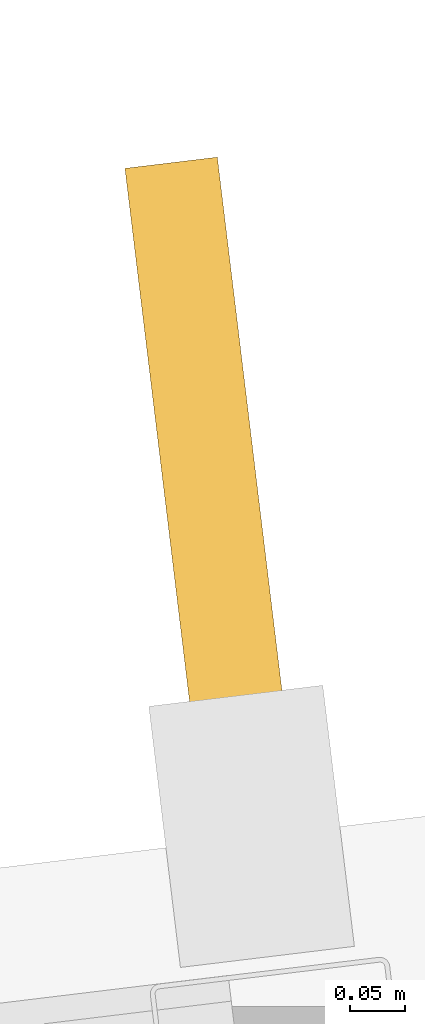
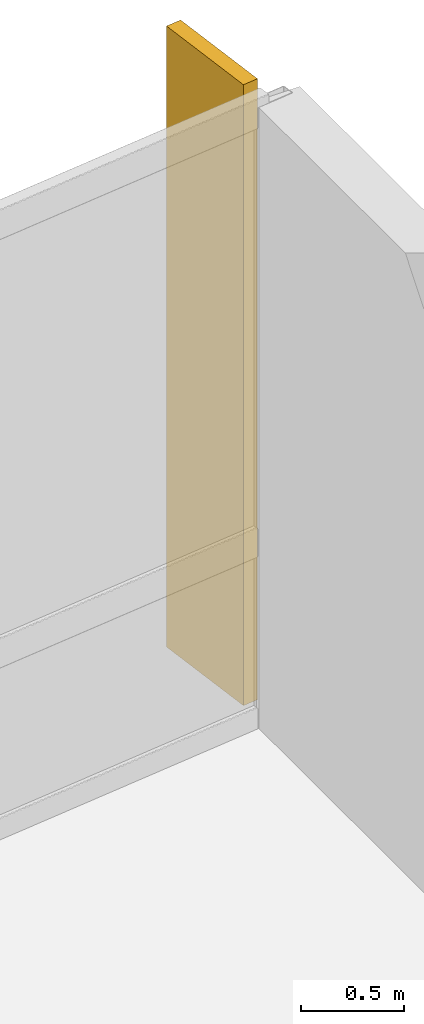
# One storey, part 16 of 16: 1 shading device.
"""IFC4 building model written with IfcOpenShell, lengths in metres."""

from ifc_helpers import new_model, si_unit, direction, frame, origin, origin_2d, place, context, subcontext, project, spatial, rectangle, extrude, material, layer, layer_set, type_object, element, save


model = new_model("IFC4")

# Units and contexts
model_context = context("Model", 3, precision=1e-05, world=origin(), true_north=direction((0.0, 1.0)))
body_context = subcontext(model_context, "Body", "Model", "MODEL_VIEW")
ifc_project = project(units=[si_unit("LENGTHUNIT", "METRE"), si_unit("AREAUNIT", "SQUARE_METRE"), si_unit("VOLUMEUNIT", "CUBIC_METRE"), si_unit("PLANEANGLEUNIT", "RADIAN"), si_unit("MASSUNIT", "GRAM", prefix="KILO")], contexts=[model_context])

# Site, building, storey
site_placement = place(None, origin())
site = spatial("IfcSite", under=ifc_project, at=site_placement, CompositionType="ELEMENT")
building_placement = place(site_placement, origin())
building = spatial("IfcBuilding", under=site, at=building_placement, Name="Varnakote Quay Hospital", CompositionType="ELEMENT")
storey_placement = place(building_placement, frame((0.0, 0.0, 170.5)))
storey = spatial("IfcBuildingStorey", under=building, at=storey_placement, Name="L42", CompositionType="ELEMENT", Elevation=170.5)

# Shading device
ifc_material = material(Name="Anodised aluminium 6063-T6 Bronze", Category="aluminium")
ifc_layer = layer(ifc_material, 0.0849609375)
ifc_layer_set = layer_set([ifc_layer], Name="Anodised aluminium 6063-T6 Bronze")
shading_device_type = type_object("IfcShadingDeviceType", Name="SHD-BRONZE-FIN-620", PredefinedType="USERDEFINED", material=ifc_layer_set)
shading_device_placement = place(storey_placement, frame((53.9462890625, 33.381591796875, 0.0), z_axis=(0.0, 0.0, 1.0), x_axis=(0.120310105847, -0.992736358975, 0.0)))
element("IfcShadingDevice", 1, at=shading_device_placement, inside=storey, type_object=shading_device_type, Name="L42 Anodised Bronze Vertical Shading FIN", ObjectType="FIN", PredefinedType="USERDEFINED", context=body_context, shape_type="SweptSolid", body=[
    extrude(rectangle(XDim=0.6201171875, YDim=0.0849609375, at=origin_2d()), origin(), (0.0, 0.0, 1.0), 3.669921875),
])

save(model, "model.ifc")
